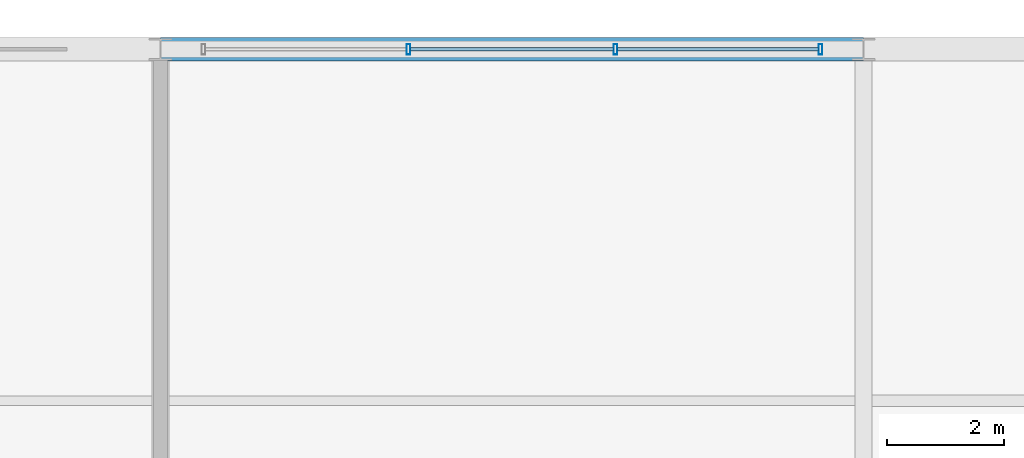
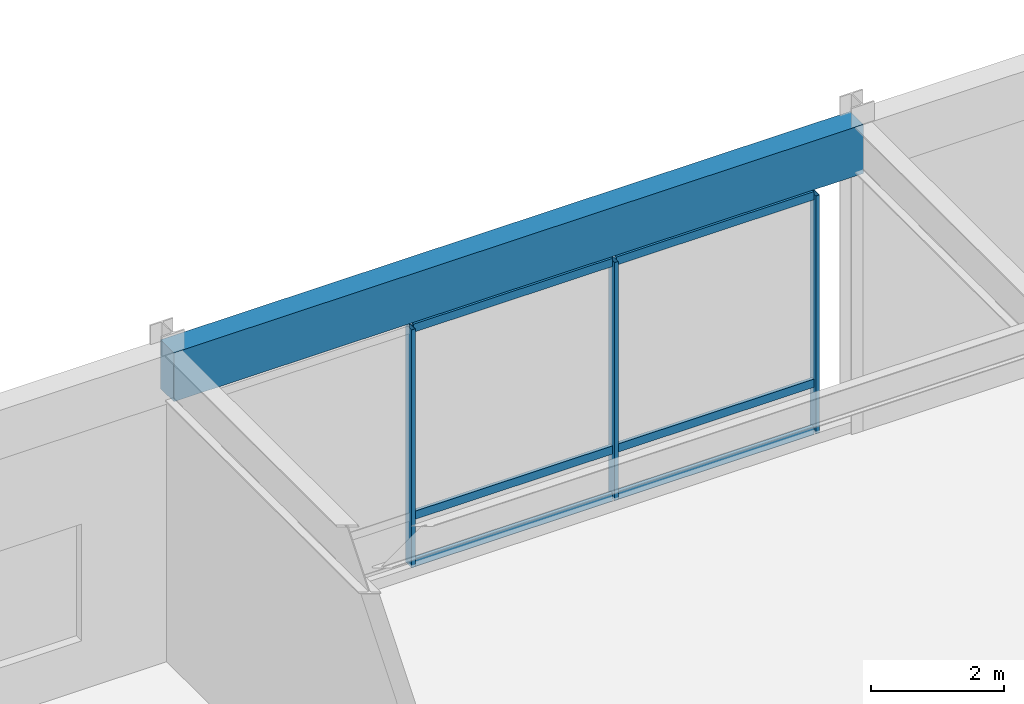
# One storey, part 77 of 108: 9 members, 1 beam, 1 element without a shape of its own.
"""IFC4 building model written with IfcOpenShell, lengths in metres."""

import ifcopenshell
import ifcopenshell.guid

model = None  # the IFC model being written
_history = None  # IfcOwnerHistory: only IFC2X3 demands one
_inside = {}  # id of a spatial element -> (the spatial element, [elements in it])
_under = {}  # id of a project, library or spatial element -> (it, [spatial elements below it])
_declared = {}  # id of a project -> (the project, [libraries it declares])
_typed = {}  # id of a type object -> (the type object, [elements of that type])
_made_of = {}  # id of a material, layer set ... -> (it, [elements and type objects made of it])


def new_model(schema):
    """Start an empty IFC model of exactly this schema.

    Asked for "IFC4X3", IfcOpenShell would pick the latest addendum, in which some entities
    have other attributes; the version numbers below select the first issue.
    IFC2X3 requires an IfcOwnerHistory on every rooted entity: one is made here for all.
    """
    global model, _history
    if schema == "IFC4X3":
        model = ifcopenshell.file(schema_version=(4, 3, 0, 0))
    else:
        model = ifcopenshell.file(schema=schema)
    _inside.clear()
    _under.clear()
    _declared.clear()
    _typed.clear()
    _made_of.clear()
    _history = None
    if model.schema == "IFC2X3":
        org = make("IfcOrganization", Name="unknown")
        user = make(
            "IfcPersonAndOrganization",
            ThePerson=make("IfcPerson", FamilyName="unknown"),
            TheOrganization=org,
        )
        app = make(
            "IfcApplication",
            ApplicationDeveloper=org,
            Version="unknown",
            ApplicationFullName="unknown",
            ApplicationIdentifier="unknown",
        )
        _history = make(
            "IfcOwnerHistory",
            OwningUser=user,
            OwningApplication=app,
            ChangeAction="ADDED",
            CreationDate=0,
        )
    return model


def make(cls, **values):
    """One entity of the class cls with the attributes given. An attribute that is None is left unset."""
    return model.create_entity(
        cls, **{name: value for name, value in values.items() if value is not None}
    )


def rooted(cls, **values):
    """An entity with a GlobalId (a new one), such as an element, a storey or a relation."""
    return make(cls, GlobalId=ifcopenshell.guid.new(), OwnerHistory=_history, **values)


def si_unit(unit_type, name, prefix=None):
    """IfcSIUnit, for example si_unit("LENGTHUNIT", "METRE", prefix="MILLI")."""
    return make("IfcSIUnit", UnitType=unit_type, Prefix=prefix, Name=name)


def assignment(units):
    """IfcUnitAssignment: the units of a project."""
    return None if units is None else make("IfcUnitAssignment", Units=units)


def point(xyz):
    """IfcCartesianPoint."""
    return None if xyz is None else make("IfcCartesianPoint", Coordinates=xyz)


def direction(xyz):
    """IfcDirection."""
    return None if xyz is None else make("IfcDirection", DirectionRatios=xyz)


def frame(location, z_axis=None, x_axis=None):
    """IfcAxis2Placement3D, a coordinate frame: its origin and axes. An axis left out is left unset."""
    return make(
        "IfcAxis2Placement3D",
        Location=point(location),
        Axis=direction(z_axis),
        RefDirection=direction(x_axis),
    )


def frame_2d(location, x_axis=None):
    """IfcAxis2Placement2D, a coordinate frame in the plane: its origin and x axis."""
    return make(
        "IfcAxis2Placement2D", Location=point(location), RefDirection=direction(x_axis)
    )


def origin():
    """The frame at (0, 0, 0) with its axes left unset."""
    return frame((0.0, 0.0, 0.0))


def origin_2d():
    """The frame at (0, 0) in the plane with its x axis left unset."""
    return frame_2d((0.0, 0.0))


def place(relative_to, where):
    """IfcLocalPlacement: puts the frame where relative to a parent placement (None: the world)."""
    return make(
        "IfcLocalPlacement", PlacementRelTo=relative_to, RelativePlacement=where
    )


def context(
    kind, dimensions, precision=None, world=None, true_north=None, identifier=None
):
    """IfcGeometricRepresentationContext, for example the 3D "Model" context."""
    return make(
        "IfcGeometricRepresentationContext",
        ContextIdentifier=identifier,
        ContextType=kind,
        CoordinateSpaceDimension=dimensions,
        Precision=precision,
        WorldCoordinateSystem=world,
        TrueNorth=true_north,
    )


def subcontext(parent, identifier, kind, view, scale=None):
    """IfcGeometricRepresentationSubContext, for example "Body" below "Model"."""
    return make(
        "IfcGeometricRepresentationSubContext",
        ContextIdentifier=identifier,
        ContextType=kind,
        ParentContext=parent,
        TargetScale=scale,
        TargetView=view,
    )


def project(units=None, contexts=None):
    """IfcProject with its units and contexts."""
    return rooted(
        "IfcProject",
        Name="project",
        RepresentationContexts=contexts,
        UnitsInContext=assignment(units),
    )


def spatial(cls, under=None, at=None, **own):
    """A site, building, storey or space (cls), placed at a placement, below another one or the project."""
    s = rooted(cls, ObjectPlacement=at, **own)
    if under is not None:
        _under.setdefault(under.id(), (under, []))[1].append(s)
    return s


def profile(cls, at=None, kind="AREA", **sizes):
    """A parametric profile (cls). Its sizes go by their IFC names, for example OverallWidth=200.0."""
    return make(cls, ProfileType=kind, Position=at, **sizes)


def rectangle(**sizes):
    """IfcRectangleProfileDef."""
    return profile("IfcRectangleProfileDef", **sizes)


def hollow_rectangle(**sizes):
    """IfcRectangleHollowProfileDef."""
    return profile("IfcRectangleHollowProfileDef", **sizes)


def extrude(swept, where, along, depth):
    """IfcExtrudedAreaSolid: the profile swept, set in the frame where, extruded along a direction by depth."""
    return make(
        "IfcExtrudedAreaSolid",
        SweptArea=swept,
        Position=where,
        ExtrudedDirection=direction(along),
        Depth=depth,
    )


def shape(context_of_items, identifier, shape_type, items):
    """IfcShapeRepresentation: the items that make up one representation, for example the "Body"."""
    return make(
        "IfcShapeRepresentation",
        ContextOfItems=context_of_items,
        RepresentationIdentifier=identifier,
        RepresentationType=shape_type,
        Items=items,
    )


def material(Name=None, Category=None):
    """IfcMaterial."""
    return make("IfcMaterial", Name=Name, Category=Category)


def material_profile(
    of_material, cross_section, Name=None, Category=None, Priority=None
):
    """IfcMaterialProfile: a cross section and its material."""
    return make(
        "IfcMaterialProfile",
        Name=Name,
        Material=of_material,
        Profile=cross_section,
        Priority=Priority,
        Category=Category,
    )


def profile_set(profiles, Name=None, composite=None):
    """IfcMaterialProfileSet."""
    return make(
        "IfcMaterialProfileSet",
        Name=Name,
        MaterialProfiles=profiles,
        CompositeProfile=composite,
    )


def made_of(thing, what):
    """Note that an element or type object is made of a material, layer set ...; save() writes the relation."""
    if what is not None:
        _made_of.setdefault(what.id(), (what, []))[1].append(thing)
    return thing


def type_object(cls, material=None, **own):
    """A type object (cls), such as IfcWallType, which elements share."""
    return made_of(rooted(cls, **own), material)


def element(
    cls,
    number,
    at=None,
    inside=None,
    cuts=None,
    type_object=None,
    material=None,
    context=None,
    identifier="Body",
    shape_type=None,
    held_by="IfcProductDefinitionShape",
    body=None,
    shapes=None,
    **own,
):
    """One element of the class cls, such as IfcWall. Its Tag is "e" and its number.

    at: its placement. inside: the storey or other place that contains it. cuts: it is an
    opening in that element (IfcRelVoidsElement). A single representation is given by context,
    identifier, shape_type and body (its items); several are given by shapes. held_by: the class
    of the entity that holds the representations. save() writes the other relations.
    """
    e = rooted(cls, Tag="e%d" % number, ObjectPlacement=at, **own)
    if body is not None:
        shapes = [shape(context, identifier, shape_type, body)]
    if shapes is not None:
        e.Representation = make(held_by, Representations=shapes)
    if inside is not None:
        _inside.setdefault(inside.id(), (inside, []))[1].append(e)
    if cuts is not None:
        rooted(
            "IfcRelVoidsElement", RelatingBuildingElement=cuts, RelatedOpeningElement=e
        )
    if type_object is not None:
        _typed.setdefault(type_object.id(), (type_object, []))[1].append(e)
    return made_of(e, material)


def aggregate(whole, parts):
    """IfcRelAggregates: a whole, such as a stair, and the parts it consists of."""
    return rooted("IfcRelAggregates", RelatingObject=whole, RelatedObjects=parts)


def save(model, path):
    """Write the relations noted so far, then the file.

    IfcRelAggregates (storeys below a building ...), IfcRelContainedInSpatialStructure (elements
    in a storey), IfcRelDefinesByType, IfcRelAssociatesMaterial and IfcRelDeclares: one each for
    every whole, place, type object, material and project.
    """
    for whole, parts in _under.values():
        aggregate(whole, parts)
    for where, things in _inside.values():
        rooted(
            "IfcRelContainedInSpatialStructure",
            RelatedElements=things,
            RelatingStructure=where,
        )
    for kind, things in _typed.values():
        rooted("IfcRelDefinesByType", RelatedObjects=things, RelatingType=kind)
    for what, things in _made_of.values():
        rooted("IfcRelAssociatesMaterial", RelatedObjects=things, RelatingMaterial=what)
    for by, libraries in _declared.values():
        rooted("IfcRelDeclares", RelatingContext=by, RelatedDefinitions=libraries)
    model.write(path)


model = new_model("IFC4")

# Units and contexts
model_context = context("Model", 3, precision=1e-05, world=origin(), true_north=direction((0.0, 1.0)))
body_context = subcontext(model_context, "Body", "Model", "MODEL_VIEW")
ifc_project = project(units=[si_unit("LENGTHUNIT", "METRE"), si_unit("AREAUNIT", "SQUARE_METRE"), si_unit("VOLUMEUNIT", "CUBIC_METRE"), si_unit("PLANEANGLEUNIT", "RADIAN"), si_unit("MASSUNIT", "GRAM", prefix="KILO")], contexts=[model_context])

# Site, building, storey
site_placement = place(None, origin())
site = spatial("IfcSite", under=ifc_project, at=site_placement, CompositionType="ELEMENT")
building_placement = place(site_placement, origin())
building = spatial("IfcBuilding", under=site, at=building_placement, Name="Kaldorvane Square Convention Centre", CompositionType="ELEMENT")
storey_placement = place(building_placement, frame((0.0, 0.0, 12.0)))
storey = spatial("IfcBuildingStorey", under=building, at=storey_placement, Name="L02", CompositionType="ELEMENT", Elevation=12.0)

# Beam
ifc_material_1 = material(Name="Concrete f'c = 42 MPa (Normalweight)", Category="concrete")
ifc_material_profile_1 = material_profile(ifc_material_1, rectangle(XDim=0.399993896484375, YDim=0.899993896484375, at=origin_2d()), Name="RCSP900X400")
ifc_profile_set_1 = profile_set([ifc_material_profile_1], Name="Concrete f'c = 42 MPa (Normalweight)")
beam_type = type_object("IfcBeamType", Name="BM-SP-RC900", PredefinedType="SPANDREL", material=ifc_profile_set_1)
beam_placement = place(storey_placement, frame((126.0, 117.0, 5.1959991455078125), z_axis=(1.0, 0.0, 0.0), x_axis=(0.0, 1.0, 0.0)))
element("IfcBeam", 1, at=beam_placement, inside=storey, type_object=beam_type, Name="Perimeter Spandrel (L02)", PredefinedType="SPANDREL", context=body_context, shape_type="SweptSolid", body=[
    extrude(rectangle(XDim=0.399993896484375, YDim=0.899993896484375, at=origin_2d()), origin(), (0.0, 0.0, 1.0), 12.0),
])

# Curtain wall, members
ifc_material_2 = material(Name="Anodized Aluminum and Low-E Insulated Glazing", Category="aluminium")
curtain_wall_type = type_object("IfcCurtainWallType", Name="CW-UNI-P60-09", PredefinedType="USERDEFINED", material=ifc_material_2)
curtain_wall_placement = place(storey_placement, origin())
curtain_wall = element("IfcCurtainWall", 2, at=curtain_wall_placement, inside=storey, type_object=curtain_wall_type, Name="Curtain Wall CW-02 (L02)", ObjectType="UNITISED GLAZING", PredefinedType="USERDEFINED")
ifc_material_profile_2 = material_profile(ifc_material_2, hollow_rectangle(XDim=0.06500244140625, YDim=0.17999267578125, WallThickness=0.0034942626953125, at=origin_2d()), Name="CWM-180X65")
ifc_profile_set_2 = profile_set([ifc_material_profile_2], Name="Anodized Aluminum and Low-E Insulated Glazing")
member_type_1 = type_object("IfcMemberType", Name="CW-MUL-180", PredefinedType="MULLION", material=ifc_profile_set_2)
member_1_placement = place(storey_placement, frame((137.2675018310547, 117.0, 0.149993896484375), z_axis=(0.0, 0.0, 1.0), x_axis=(-1.0, 0.0, 0.0)))
member_1 = element("IfcMember", 3, at=member_1_placement, type_object=member_type_1, Name="CW-02 mullion 1", PredefinedType="MULLION", context=body_context, shape_type="SweptSolid", body=[
    extrude(hollow_rectangle(XDim=0.06500244140625, YDim=0.17999267578125, WallThickness=0.0034942626953125, at=origin_2d()), origin(), (0.0, 0.0, 1.0), 4.3800048828125),
])
member_2_placement = place(storey_placement, frame((133.76666259765625, 117.0, 0.149993896484375), z_axis=(0.0, 0.0, 1.0), x_axis=(-1.0, 0.0, 0.0)))
member_2 = element("IfcMember", 4, at=member_2_placement, type_object=member_type_1, Name="CW-02 mullion 2", PredefinedType="MULLION", context=body_context, shape_type="SweptSolid", body=[
    extrude(hollow_rectangle(XDim=0.06500244140625, YDim=0.17999267578125, WallThickness=0.0034942626953125, at=origin_2d()), origin(), (0.0, 0.0, 1.0), 4.3800048828125),
])
member_3_placement = place(storey_placement, frame((130.23333740234375, 117.0, 0.149993896484375), z_axis=(0.0, 0.0, 1.0), x_axis=(-1.0, 0.0, 0.0)))
member_3 = element("IfcMember", 5, at=member_3_placement, type_object=member_type_1, Name="CW-02 mullion 3", PredefinedType="MULLION", context=body_context, shape_type="SweptSolid", body=[
    extrude(hollow_rectangle(XDim=0.06500244140625, YDim=0.17999267578125, WallThickness=0.0034942626953125, at=origin_2d()), origin(), (0.0, 0.0, 1.0), 4.3800048828125),
])
ifc_material_profile_3 = material_profile(ifc_material_2, hollow_rectangle(XDim=0.05999755859375, YDim=0.149993896484375, WallThickness=0.003204345703125, at=origin_2d()), Name="CWT-150X60")
ifc_profile_set_3 = profile_set([ifc_material_profile_3], Name="Anodized Aluminum and Low-E Insulated Glazing")
member_type_2 = type_object("IfcMemberType", Name="CW-TRN-150", PredefinedType="USERDEFINED", material=ifc_profile_set_3)
member_4_placement = place(storey_placement, frame((137.23500061035156, 117.0, 0.17999267578125), z_axis=(-1.0, 0.0, 0.0), x_axis=(0.0, -1.0, 0.0)))
member_4 = element("IfcMember", 6, at=member_4_placement, type_object=member_type_2, Name="CW-02 transom 1.1", ObjectType="TRANSOM", PredefinedType="USERDEFINED", context=body_context, shape_type="SweptSolid", body=[
    extrude(hollow_rectangle(XDim=0.05999755859375, YDim=0.149993896484375, WallThickness=0.003204345703125, at=origin_2d()), origin(), (0.0, 0.0, 1.0), 3.4358367919921875),
])
member_5_placement = place(storey_placement, frame((137.23500061035156, 117.0, 1.0500030517578125), z_axis=(-1.0, 0.0, 0.0), x_axis=(0.0, -1.0, 0.0)))
member_5 = element("IfcMember", 7, at=member_5_placement, type_object=member_type_2, Name="CW-02 transom 1.2", ObjectType="TRANSOM", PredefinedType="USERDEFINED", context=body_context, shape_type="SweptSolid", body=[
    extrude(hollow_rectangle(XDim=0.05999755859375, YDim=0.149993896484375, WallThickness=0.003204345703125, at=origin_2d()), origin(), (0.0, 0.0, 1.0), 3.4358367919921875),
])
member_6_placement = place(storey_placement, frame((137.23500061035156, 117.0, 4.5), z_axis=(-1.0, 0.0, 0.0), x_axis=(0.0, -1.0, 0.0)))
member_6 = element("IfcMember", 8, at=member_6_placement, type_object=member_type_2, Name="CW-02 transom 1.3", ObjectType="TRANSOM", PredefinedType="USERDEFINED", context=body_context, shape_type="SweptSolid", body=[
    extrude(hollow_rectangle(XDim=0.05999755859375, YDim=0.149993896484375, WallThickness=0.003204345703125, at=origin_2d()), origin(), (0.0, 0.0, 1.0), 3.4358367919921875),
])
member_7_placement = place(storey_placement, frame((133.73416137695312, 117.0, 0.17999267578125), z_axis=(-1.0, 0.0, 0.0), x_axis=(0.0, -1.0, 0.0)))
member_7 = element("IfcMember", 9, at=member_7_placement, type_object=member_type_2, Name="CW-02 transom 2.1", ObjectType="TRANSOM", PredefinedType="USERDEFINED", context=body_context, shape_type="SweptSolid", body=[
    extrude(hollow_rectangle(XDim=0.05999755859375, YDim=0.149993896484375, WallThickness=0.003204345703125, at=origin_2d()), origin(), (0.0, 0.0, 1.0), 3.46832275390625),
])
member_8_placement = place(storey_placement, frame((133.73416137695312, 117.0, 1.0500030517578125), z_axis=(-1.0, 0.0, 0.0), x_axis=(0.0, -1.0, 0.0)))
member_8 = element("IfcMember", 10, at=member_8_placement, type_object=member_type_2, Name="CW-02 transom 2.2", ObjectType="TRANSOM", PredefinedType="USERDEFINED", context=body_context, shape_type="SweptSolid", body=[
    extrude(hollow_rectangle(XDim=0.05999755859375, YDim=0.149993896484375, WallThickness=0.003204345703125, at=origin_2d()), origin(), (0.0, 0.0, 1.0), 3.46832275390625),
])
member_9_placement = place(storey_placement, frame((133.73416137695312, 117.0, 4.5), z_axis=(-1.0, 0.0, 0.0), x_axis=(0.0, -1.0, 0.0)))
member_9 = element("IfcMember", 11, at=member_9_placement, type_object=member_type_2, Name="CW-02 transom 2.3", ObjectType="TRANSOM", PredefinedType="USERDEFINED", context=body_context, shape_type="SweptSolid", body=[
    extrude(hollow_rectangle(XDim=0.05999755859375, YDim=0.149993896484375, WallThickness=0.003204345703125, at=origin_2d()), origin(), (0.0, 0.0, 1.0), 3.46832275390625),
])
aggregate(curtain_wall, [member_1, member_2, member_3, member_4, member_5, member_6, member_7, member_8, member_9])

save(model, "model.ifc")
